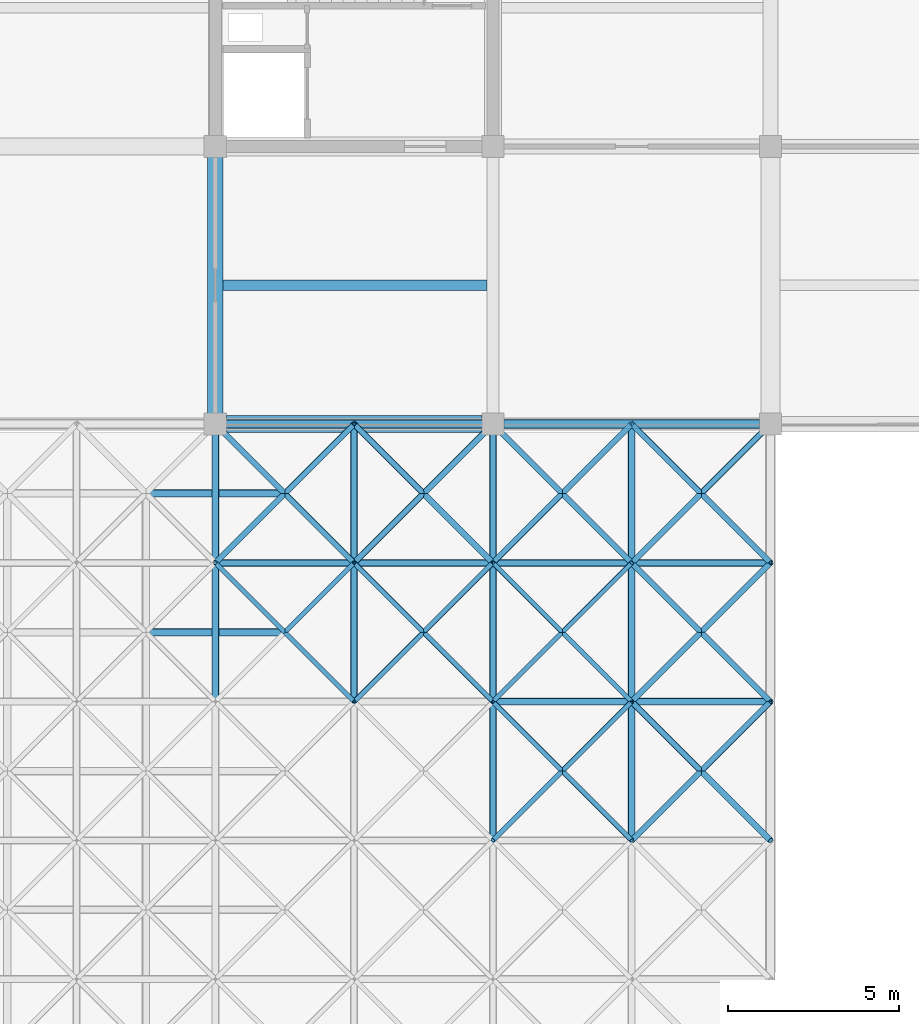
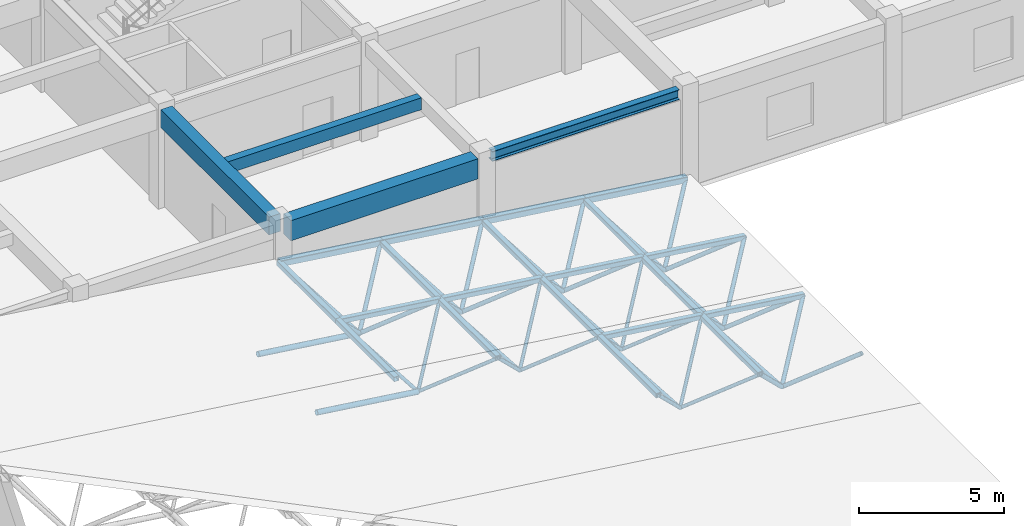
# One storey, part 24 of 70: 61 members, 4 beams.
"""IFC4 building model written with IfcOpenShell, lengths in metres."""

from ifc_helpers import new_model, si_unit, direction, frame, origin, origin_2d, place, context, subcontext, project, spatial, rectangle, hollow_rectangle, hollow_circle, i_section, extrude, material, material_profile, profile_set, type_object, element, save


model = new_model("IFC4")

# Units and contexts
model_context = context("Model", 3, precision=1e-05, world=origin(), true_north=direction((0.0, 1.0)))
body_context = subcontext(model_context, "Body", "Model", "MODEL_VIEW")
ifc_project = project(units=[si_unit("LENGTHUNIT", "METRE"), si_unit("AREAUNIT", "SQUARE_METRE"), si_unit("VOLUMEUNIT", "CUBIC_METRE"), si_unit("PLANEANGLEUNIT", "RADIAN"), si_unit("MASSUNIT", "GRAM", prefix="KILO")], contexts=[model_context])

# Site, building, storey
site_placement = place(None, origin())
site = spatial("IfcSite", under=ifc_project, at=site_placement, CompositionType="ELEMENT")
building_placement = place(site_placement, origin())
building = spatial("IfcBuilding", under=site, at=building_placement, Name="Vaudrelin Polytechnic", CompositionType="ELEMENT")
storey_placement = place(building_placement, frame((0.0, 0.0, 14.110107421875)))
storey = spatial("IfcBuildingStorey", under=building, at=storey_placement, Name="L03", CompositionType="ELEMENT", Elevation=14.110107421875)

# Beams
ifc_material_1 = material(Name="Concrete 40 MPa", Category="concrete")
ifc_material_profile_1 = material_profile(ifc_material_1, rectangle(XDim=0.449951171875, YDim=0.75, at=origin_2d()), Name="RC450x750")
ifc_profile_set_1 = profile_set([ifc_material_profile_1], Name="Concrete 40 MPa")
beam_type_1 = type_object("IfcBeamType", Name="BM-BM-RC4575", PredefinedType="BEAM", material=ifc_profile_set_1)
beam_1_placement = place(storey_placement, frame((16.199951171875, 97.510009765625, 3.784912109375), z_axis=(0.0, 1.0, 0.0), x_axis=(-1.0, 0.0, 0.0)))
element("IfcBeam", 1, at=beam_1_placement, inside=storey, type_object=beam_type_1, Name="L03 Y-beam 3-13", PredefinedType="BEAM", context=body_context, shape_type="SweptSolid", body=[
    extrude(rectangle(XDim=0.449951171875, YDim=0.75, at=origin_2d()), origin(), (0.0, 0.0, 1.0), 7.47998046875),
])
ifc_material_profile_2 = material_profile(ifc_material_1, rectangle(XDim=0.5, YDim=0.85009765625, at=origin_2d()), Name="RC500x850")
ifc_profile_set_2 = profile_set([ifc_material_profile_2], Name="Concrete 40 MPa")
beam_type_2 = type_object("IfcBeamType", Name="BM-BM-RC5085", PredefinedType="BEAM", material=ifc_profile_set_2)
beam_2_placement = place(storey_placement, frame((16.52099609375, 97.199951171875, 3.73486328125), z_axis=(1.0, 0.0, 0.0), x_axis=(0.0, 1.0, 0.0)))
element("IfcBeam", 2, at=beam_2_placement, inside=storey, type_object=beam_type_2, Name="L03 X-beam 3-13", PredefinedType="BEAM", context=body_context, shape_type="SweptSolid", body=[
    extrude(rectangle(XDim=0.5, YDim=0.85009765625, at=origin_2d()), origin(), (0.0, 0.0, 1.0), 7.4580078125),
])
ifc_material_2 = material(Name="Steel CSA G40.21 350WT", Category="steel")
ifc_material_profile_3 = material_profile(ifc_material_2, i_section(OverallWidth=0.260009765625, OverallDepth=0.4150390625, WebThickness=0.010009765625, FlangeThickness=0.016845703125, FilletRadius=0.01611328125, at=origin_2d()), Name="W410x100")
ifc_profile_set_3 = profile_set([ifc_material_profile_3], Name="Steel CSA G40.21 350WT")
beam_type_3 = type_object("IfcBeamType", Name="BM-BM-W410H", PredefinedType="SPANDREL", material=ifc_profile_set_3)
beam_3_placement = place(storey_placement, frame((24.62109375, 97.199951171875, 3.952392578125), z_axis=(1.0, 0.0, 0.0), x_axis=(0.0, 1.0, 0.0)))
element("IfcBeam", 3, at=beam_3_placement, inside=storey, type_object=beam_type_3, Name="L03 X-beam 4-13", PredefinedType="SPANDREL", context=body_context, shape_type="SweptSolid", body=[
    extrude(i_section(OverallWidth=0.260009765625, OverallDepth=0.4150390625, WebThickness=0.010009765625, FlangeThickness=0.016845703125, FilletRadius=0.01611328125, at=origin_2d()), origin(), (0.0, 0.0, 1.0), 7.4580078125),
])
ifc_material_profile_4 = material_profile(ifc_material_1, rectangle(XDim=0.300048828125, YDim=0.5, at=origin_2d()), Name="RC300x500")
ifc_profile_set_4 = profile_set([ifc_material_profile_4], Name="Concrete 40 MPa")
beam_type_4 = type_object("IfcBeamType", Name="BM-JS-RC3050", PredefinedType="JOIST", material=ifc_profile_set_4)
beam_4_placement = place(storey_placement, frame((16.4208984375, 101.25, 3.909912109375), z_axis=(1.0, 0.0, 0.0), x_axis=(0.0, 1.0, 0.0)))
element("IfcBeam", 4, at=beam_4_placement, inside=storey, type_object=beam_type_4, Name="L03 floor joist 3-13", PredefinedType="JOIST", context=body_context, shape_type="SweptSolid", body=[
    extrude(rectangle(XDim=0.300048828125, YDim=0.5, at=origin_2d()), origin(), (0.0, 0.0, 1.0), 7.7080078125),
])

# Members
ifc_material_profile_5 = material_profile(ifc_material_2, hollow_circle(Radius=0.109619140625, WallThickness=0.010986328125, at=origin_2d()), Name="CHS219.1x11.1")
ifc_profile_set_5 = profile_set([ifc_material_profile_5], Name="Steel CSA G40.21 350WT")
member_type_1 = type_object("IfcMemberType", Name="MEM-SF-BC1", PredefinedType="CHORD", material=ifc_profile_set_5)
for number, where, z_axis, x_axis, name in (
    (5, (14.175048828125, 91.125, 0.439208984375), (0.991444732077, 0.0, -0.130527174324), (0.0, 1.0, 0.0), "Space frame bottom chord X 4-13"),
    (6, (14.175048828125, 95.175048828125, 0.439208984375), (0.991444732077, 0.0, -0.130527174324), (0.0, 1.0, 0.0), "Space frame bottom chord X 4-14"),
):
    element("IfcMember", number, at=place(storey_placement, frame(where, z_axis=z_axis, x_axis=x_axis)), inside=storey, type_object=member_type_1, Name=name, PredefinedType="CHORD", context=body_context, shape_type="SweptSolid", body=[
        extrude(hollow_circle(Radius=0.109619140625, WallThickness=0.010986328125, at=origin_2d()), origin(), (0.0, 0.0, 1.0), 4.0849609375),
    ])
ifc_material_profile_6 = material_profile(ifc_material_2, hollow_rectangle(XDim=0.202880859375, YDim=0.202880859375, WallThickness=0.009521484375, InnerFilletRadius=0.009521484375, OuterFilletRadius=0.01904296875, at=origin_2d()), Name="HSS203x203x9.5")
ifc_profile_set_6 = profile_set([ifc_material_profile_6], Name="Steel CSA G40.21 350WT")
member_type_2 = type_object("IfcMemberType", Name="MEM-SF-TC1", PredefinedType="CHORD", material=ifc_profile_set_6)
member_1_placement = place(storey_placement, frame((24.300048828125, 89.10009765625, 1.306396484375), z_axis=(0.991444732077, 0.0, -0.130527174324), x_axis=(0.0, 1.0, 0.0)))
element("IfcMember", 7, at=member_1_placement, inside=storey, type_object=member_type_2, Name="Space frame top chord X 7-13", PredefinedType="CHORD", context=body_context, shape_type="SweptSolid", body=[
    extrude(hollow_rectangle(XDim=0.202880859375, YDim=0.202880859375, WallThickness=0.009521484375, InnerFilletRadius=0.009521484375, OuterFilletRadius=0.01904296875, at=origin_2d()), origin(), (0.0, 0.0, 1.0), 4.0849609375),
])
member_2_placement = place(storey_placement, frame((28.35009765625, 89.10009765625, 0.773193359375), z_axis=(0.991443713746, 0.0, -0.13053490902), x_axis=(0.0, 1.0, 0.0)))
element("IfcMember", 8, at=member_2_placement, inside=storey, type_object=member_type_2, Name="Space frame top chord X 8-13", PredefinedType="CHORD", context=body_context, shape_type="SweptSolid", body=[
    extrude(hollow_rectangle(XDim=0.202880859375, YDim=0.202880859375, WallThickness=0.009521484375, InnerFilletRadius=0.009521484375, OuterFilletRadius=0.01904296875, at=origin_2d()), origin(), (0.0, 0.0, 1.0), 4.084716796875),
])
for number, where, z_axis, x_axis, name in (
    (9, (16.199951171875, 93.14990234375, 2.372802734375), (0.991444732077, 0.0, -0.130527174324), (0.0, 1.0, 0.0), "Space frame top chord X 5-14"),
    (10, (20.25, 93.14990234375, 1.839599609375), (0.991444732077, 0.0, -0.130527174324), (0.0, 1.0, 0.0), "Space frame top chord X 6-14"),
    (11, (24.300048828125, 93.14990234375, 1.306396484375), (0.991444732077, 0.0, -0.130527174324), (0.0, 1.0, 0.0), "Space frame top chord X 7-14"),
):
    element("IfcMember", number, at=place(storey_placement, frame(where, z_axis=z_axis, x_axis=x_axis)), inside=storey, type_object=member_type_2, Name=name, PredefinedType="CHORD", context=body_context, shape_type="SweptSolid", body=[
        extrude(hollow_rectangle(XDim=0.202880859375, YDim=0.202880859375, WallThickness=0.009521484375, InnerFilletRadius=0.009521484375, OuterFilletRadius=0.01904296875, at=origin_2d()), origin(), (0.0, 0.0, 1.0), 4.0849609375),
    ])
member_3_placement = place(storey_placement, frame((28.35009765625, 93.14990234375, 0.773193359375), z_axis=(0.991443713746, 0.0, -0.13053490902), x_axis=(0.0, 1.0, 0.0)))
element("IfcMember", 12, at=member_3_placement, inside=storey, type_object=member_type_2, Name="Space frame top chord X 8-14", PredefinedType="CHORD", context=body_context, shape_type="SweptSolid", body=[
    extrude(hollow_rectangle(XDim=0.202880859375, YDim=0.202880859375, WallThickness=0.009521484375, InnerFilletRadius=0.009521484375, OuterFilletRadius=0.01904296875, at=origin_2d()), origin(), (0.0, 0.0, 1.0), 4.084716796875),
])
member_4_placement = place(storey_placement, frame((16.199951171875, 89.10009765625, 2.372802734375), z_axis=(0.0, 1.0, 0.0), x_axis=(-1.0, 0.0, 0.0)))
element("IfcMember", 13, at=member_4_placement, inside=storey, type_object=member_type_2, Name="Space frame top chord Y 5-13", PredefinedType="CHORD", context=body_context, shape_type="SweptSolid", body=[
    extrude(hollow_rectangle(XDim=0.202880859375, YDim=0.202880859375, WallThickness=0.009521484375, InnerFilletRadius=0.009521484375, OuterFilletRadius=0.01904296875, at=origin_2d()), origin(), (0.0, 0.0, 1.0), 4.0498046875),
])
member_5_placement = place(storey_placement, frame((16.199951171875, 93.14990234375, 2.372802734375), z_axis=(0.0, 1.0, 0.0), x_axis=(-1.0, 0.0, 0.0)))
element("IfcMember", 14, at=member_5_placement, inside=storey, type_object=member_type_2, Name="Space frame top chord Y 5-14", PredefinedType="CHORD", context=body_context, shape_type="SweptSolid", body=[
    extrude(hollow_rectangle(XDim=0.202880859375, YDim=0.202880859375, WallThickness=0.009521484375, InnerFilletRadius=0.009521484375, OuterFilletRadius=0.01904296875, at=origin_2d()), origin(), (0.0, 0.0, 1.0), 4.050048828125),
])
member_6_placement = place(storey_placement, frame((20.25, 89.10009765625, 1.839599609375), z_axis=(0.0, 1.0, 0.0), x_axis=(-1.0, 0.0, 0.0)))
element("IfcMember", 15, at=member_6_placement, inside=storey, type_object=member_type_2, Name="Space frame top chord Y 6-13", PredefinedType="CHORD", context=body_context, shape_type="SweptSolid", body=[
    extrude(hollow_rectangle(XDim=0.202880859375, YDim=0.202880859375, WallThickness=0.009521484375, InnerFilletRadius=0.009521484375, OuterFilletRadius=0.01904296875, at=origin_2d()), origin(), (0.0, 0.0, 1.0), 4.0498046875),
])
for number, where, z_axis, x_axis, name in (
    (16, (20.25, 93.14990234375, 1.839599609375), (0.0, 1.0, 0.0), (-1.0, 0.0, 0.0), "Space frame top chord Y 6-14"),
    (17, (24.300048828125, 85.050048828125, 1.306396484375), (0.0, 1.0, 0.0), (-1.0, 0.0, 0.0), "Space frame top chord Y 7-12"),
):
    element("IfcMember", number, at=place(storey_placement, frame(where, z_axis=z_axis, x_axis=x_axis)), inside=storey, type_object=member_type_2, Name=name, PredefinedType="CHORD", context=body_context, shape_type="SweptSolid", body=[
        extrude(hollow_rectangle(XDim=0.202880859375, YDim=0.202880859375, WallThickness=0.009521484375, InnerFilletRadius=0.009521484375, OuterFilletRadius=0.01904296875, at=origin_2d()), origin(), (0.0, 0.0, 1.0), 4.050048828125),
    ])
member_7_placement = place(storey_placement, frame((24.300048828125, 89.10009765625, 1.306396484375), z_axis=(0.0, 1.0, 0.0), x_axis=(-1.0, 0.0, 0.0)))
element("IfcMember", 18, at=member_7_placement, inside=storey, type_object=member_type_2, Name="Space frame top chord Y 7-13", PredefinedType="CHORD", context=body_context, shape_type="SweptSolid", body=[
    extrude(hollow_rectangle(XDim=0.202880859375, YDim=0.202880859375, WallThickness=0.009521484375, InnerFilletRadius=0.009521484375, OuterFilletRadius=0.01904296875, at=origin_2d()), origin(), (0.0, 0.0, 1.0), 4.0498046875),
])
for number, where, z_axis, x_axis, name in (
    (19, (24.300048828125, 93.14990234375, 1.306396484375), (0.0, 1.0, 0.0), (-1.0, 0.0, 0.0), "Space frame top chord Y 7-14"),
    (20, (28.35009765625, 85.050048828125, 0.773193359375), (0.0, 1.0, 0.0), (-1.0, 0.0, 0.0), "Space frame top chord Y 8-12"),
):
    element("IfcMember", number, at=place(storey_placement, frame(where, z_axis=z_axis, x_axis=x_axis)), inside=storey, type_object=member_type_2, Name=name, PredefinedType="CHORD", context=body_context, shape_type="SweptSolid", body=[
        extrude(hollow_rectangle(XDim=0.202880859375, YDim=0.202880859375, WallThickness=0.009521484375, InnerFilletRadius=0.009521484375, OuterFilletRadius=0.01904296875, at=origin_2d()), origin(), (0.0, 0.0, 1.0), 4.050048828125),
    ])
member_8_placement = place(storey_placement, frame((28.35009765625, 89.10009765625, 0.773193359375), z_axis=(0.0, 1.0, 0.0), x_axis=(-1.0, 0.0, 0.0)))
element("IfcMember", 21, at=member_8_placement, inside=storey, type_object=member_type_2, Name="Space frame top chord Y 8-13", PredefinedType="CHORD", context=body_context, shape_type="SweptSolid", body=[
    extrude(hollow_rectangle(XDim=0.202880859375, YDim=0.202880859375, WallThickness=0.009521484375, InnerFilletRadius=0.009521484375, OuterFilletRadius=0.01904296875, at=origin_2d()), origin(), (0.0, 0.0, 1.0), 4.0498046875),
])
member_9_placement = place(storey_placement, frame((28.35009765625, 93.14990234375, 0.773193359375), z_axis=(0.0, 1.0, 0.0), x_axis=(-1.0, 0.0, 0.0)))
element("IfcMember", 22, at=member_9_placement, inside=storey, type_object=member_type_2, Name="Space frame top chord Y 8-14", PredefinedType="CHORD", context=body_context, shape_type="SweptSolid", body=[
    extrude(hollow_rectangle(XDim=0.202880859375, YDim=0.202880859375, WallThickness=0.009521484375, InnerFilletRadius=0.009521484375, OuterFilletRadius=0.01904296875, at=origin_2d()), origin(), (0.0, 0.0, 1.0), 4.050048828125),
])
ifc_material_profile_7 = material_profile(ifc_material_2, hollow_rectangle(XDim=0.25390625, YDim=0.25390625, WallThickness=0.0126953125, InnerFilletRadius=0.0126953125, OuterFilletRadius=0.025390625, at=origin_2d()), Name="HSS254x254x12.7")
ifc_profile_set_7 = profile_set([ifc_material_profile_7], Name="Steel CSA G40.21 350WT")
member_type_3 = type_object("IfcMemberType", Name="MEM-SF-TC2", PredefinedType="CHORD", material=ifc_profile_set_7)
for number, where, z_axis, x_axis, name in (
    (23, (16.199951171875, 97.199951171875, 2.372802734375), (0.991444732077, 0.0, -0.130527174324), (0.0, 1.0, 0.0), "Space frame top chord X 5-15"),
    (24, (20.25, 97.199951171875, 1.839599609375), (0.991444732077, 0.0, -0.130527174324), (0.0, 1.0, 0.0), "Space frame top chord X 6-15"),
    (25, (24.300048828125, 97.199951171875, 1.306396484375), (0.991444732077, 0.0, -0.130527174324), (0.0, 1.0, 0.0), "Space frame top chord X 7-15"),
):
    element("IfcMember", number, at=place(storey_placement, frame(where, z_axis=z_axis, x_axis=x_axis)), inside=storey, type_object=member_type_3, Name=name, PredefinedType="CHORD", context=body_context, shape_type="SweptSolid", body=[
        extrude(hollow_rectangle(XDim=0.25390625, YDim=0.25390625, WallThickness=0.0126953125, InnerFilletRadius=0.0126953125, OuterFilletRadius=0.025390625, at=origin_2d()), origin(), (0.0, 0.0, 1.0), 4.0849609375),
    ])
member_10_placement = place(storey_placement, frame((28.35009765625, 97.199951171875, 0.773193359375), z_axis=(0.991443713746, 0.0, -0.13053490902), x_axis=(0.0, 1.0, 0.0)))
element("IfcMember", 26, at=member_10_placement, inside=storey, type_object=member_type_3, Name="Space frame top chord X 8-15", PredefinedType="CHORD", context=body_context, shape_type="SweptSolid", body=[
    extrude(hollow_rectangle(XDim=0.25390625, YDim=0.25390625, WallThickness=0.0126953125, InnerFilletRadius=0.0126953125, OuterFilletRadius=0.025390625, at=origin_2d()), origin(), (0.0, 0.0, 1.0), 4.084716796875),
])
ifc_material_profile_8 = material_profile(ifc_material_2, hollow_circle(Radius=0.06982421875, WallThickness=0.008056640625, at=origin_2d()), Name="CHS139.7x8.0")
ifc_profile_set_8 = profile_set([ifc_material_profile_8], Name="Steel CSA G40.21 350WT")
member_type_4 = type_object("IfcMemberType", Name="MEM-SF-WB1", PredefinedType="BRACE", material=ifc_profile_set_8)
for number, where, z_axis, x_axis, name in (
    (27, (18.22509765625, 91.125, -0.093994140625), (0.586024364893, -0.586024364893, 0.559598863028), (0.707106781187, 0.707106781187, 0.0), "Space frame web diagonal 5.13.2"),
    (28, (18.22509765625, 91.125, -0.093994140625), (0.586024364893, 0.586024364893, 0.559598863028), (-0.707106781187, 0.707106781187, 0.0), "Space frame web diagonal 5.13.3"),
):
    element("IfcMember", number, at=place(storey_placement, frame(where, z_axis=z_axis, x_axis=x_axis)), inside=storey, type_object=member_type_4, Name=name, PredefinedType="BRACE", context=body_context, shape_type="SweptSolid", body=[
        extrude(hollow_circle(Radius=0.06982421875, WallThickness=0.008056640625, at=origin_2d()), origin(), (0.0, 0.0, 1.0), 3.455322265625),
    ])
member_11_placement = place(storey_placement, frame((18.22509765625, 91.125, -0.093994140625), z_axis=(-0.535788013686, 0.535723422002, 0.65263436893), x_axis=(-0.707064154862, -0.707149404941, 0.0)))
element("IfcMember", 29, at=member_11_placement, inside=storey, type_object=member_type_4, Name="Space frame web diagonal 5.13.4", PredefinedType="BRACE", context=body_context, shape_type="SweptSolid", body=[
    extrude(hollow_circle(Radius=0.06982421875, WallThickness=0.008056640625, at=origin_2d()), origin(), (0.0, 0.0, 1.0), 3.77978515625),
])
member_12_placement = place(storey_placement, frame((22.27490234375, 91.125, -0.627197265625), z_axis=(-0.535741961868, -0.535741961868, 0.652656954753), x_axis=(0.707106781187, -0.707106781187, 0.0)))
element("IfcMember", 30, at=member_12_placement, inside=storey, type_object=member_type_4, Name="Space frame web diagonal 6.13.1", PredefinedType="BRACE", context=body_context, shape_type="SweptSolid", body=[
    extrude(hollow_circle(Radius=0.06982421875, WallThickness=0.008056640625, at=origin_2d()), origin(), (0.0, 0.0, 1.0), 3.779541015625),
])
for number, where, z_axis, x_axis, name in (
    (31, (22.27490234375, 91.125, -0.627197265625), (0.586070753284, -0.586000099787, 0.559575692105), (0.707064154862, 0.707149404941, 0.0), "Space frame web diagonal 6.13.2"),
    (32, (22.27490234375, 91.125, -0.627197265625), (0.586070753284, 0.586000099787, 0.559575692105), (-0.707064154862, 0.707149404941, 0.0), "Space frame web diagonal 6.13.3"),
):
    element("IfcMember", number, at=place(storey_placement, frame(where, z_axis=z_axis, x_axis=x_axis)), inside=storey, type_object=member_type_4, Name=name, PredefinedType="BRACE", context=body_context, shape_type="SweptSolid", body=[
        extrude(hollow_circle(Radius=0.06982421875, WallThickness=0.008056640625, at=origin_2d()), origin(), (0.0, 0.0, 1.0), 3.45556640625),
    ])
for number, where, z_axis, x_axis, name in (
    (33, (22.27490234375, 91.125, -0.627197265625), (-0.535741961868, 0.535741961868, 0.652656954753), (-0.707106781187, -0.707106781187, 0.0), "Space frame web diagonal 6.13.4"),
    (34, (26.324951171875, 87.074951171875, -1.160400390625), (-0.535741961868, -0.535741961868, 0.652656954753), (0.707106781187, -0.707106781187, 0.0), "Space frame web diagonal 7.12.1"),
):
    element("IfcMember", number, at=place(storey_placement, frame(where, z_axis=z_axis, x_axis=x_axis)), inside=storey, type_object=member_type_4, Name=name, PredefinedType="BRACE", context=body_context, shape_type="SweptSolid", body=[
        extrude(hollow_circle(Radius=0.06982421875, WallThickness=0.008056640625, at=origin_2d()), origin(), (0.0, 0.0, 1.0), 3.779541015625),
    ])
for number, where, z_axis, x_axis, name in (
    (35, (26.324951171875, 87.074951171875, -1.160400390625), (0.586070753284, -0.586000099787, 0.559575692105), (0.707064154862, 0.707149404941, 0.0), "Space frame web diagonal 7.12.2"),
    (36, (26.324951171875, 87.074951171875, -1.160400390625), (0.586046488267, 0.586046488267, 0.559552524059), (-0.707106781187, 0.707106781187, 0.0), "Space frame web diagonal 7.12.3"),
):
    element("IfcMember", number, at=place(storey_placement, frame(where, z_axis=z_axis, x_axis=x_axis)), inside=storey, type_object=member_type_4, Name=name, PredefinedType="BRACE", context=body_context, shape_type="SweptSolid", body=[
        extrude(hollow_circle(Radius=0.06982421875, WallThickness=0.008056640625, at=origin_2d()), origin(), (0.0, 0.0, 1.0), 3.45556640625),
    ])
member_13_placement = place(storey_placement, frame((26.324951171875, 87.074951171875, -1.160400390625), z_axis=(-0.535723422002, 0.535788013686, 0.65263436893), x_axis=(-0.707149404941, -0.707064154862, 0.0)))
element("IfcMember", 37, at=member_13_placement, inside=storey, type_object=member_type_4, Name="Space frame web diagonal 7.12.4", PredefinedType="BRACE", context=body_context, shape_type="SweptSolid", body=[
    extrude(hollow_circle(Radius=0.06982421875, WallThickness=0.008056640625, at=origin_2d()), origin(), (0.0, 0.0, 1.0), 3.77978515625),
])
member_14_placement = place(storey_placement, frame((26.324951171875, 91.125, -1.160400390625), z_axis=(-0.535741961868, -0.535741961868, 0.652656954753), x_axis=(0.707106781187, -0.707106781187, 0.0)))
element("IfcMember", 38, at=member_14_placement, inside=storey, type_object=member_type_4, Name="Space frame web diagonal 7.13.1", PredefinedType="BRACE", context=body_context, shape_type="SweptSolid", body=[
    extrude(hollow_circle(Radius=0.06982421875, WallThickness=0.008056640625, at=origin_2d()), origin(), (0.0, 0.0, 1.0), 3.779541015625),
])
for number, where, z_axis, x_axis, name in (
    (39, (26.324951171875, 91.125, -1.160400390625), (0.586070753284, -0.586000099787, 0.559575692105), (0.707064154862, 0.707149404941, 0.0), "Space frame web diagonal 7.13.2"),
    (40, (26.324951171875, 91.125, -1.160400390625), (0.586070753284, 0.586000099787, 0.559575692105), (-0.707064154862, 0.707149404941, 0.0), "Space frame web diagonal 7.13.3"),
):
    element("IfcMember", number, at=place(storey_placement, frame(where, z_axis=z_axis, x_axis=x_axis)), inside=storey, type_object=member_type_4, Name=name, PredefinedType="BRACE", context=body_context, shape_type="SweptSolid", body=[
        extrude(hollow_circle(Radius=0.06982421875, WallThickness=0.008056640625, at=origin_2d()), origin(), (0.0, 0.0, 1.0), 3.45556640625),
    ])
member_15_placement = place(storey_placement, frame((26.324951171875, 91.125, -1.160400390625), z_axis=(-0.535741961868, 0.535741961868, 0.652656954753), x_axis=(-0.707106781187, -0.707106781187, 0.0)))
element("IfcMember", 41, at=member_15_placement, inside=storey, type_object=member_type_4, Name="Space frame web diagonal 7.13.4", PredefinedType="BRACE", context=body_context, shape_type="SweptSolid", body=[
    extrude(hollow_circle(Radius=0.06982421875, WallThickness=0.008056640625, at=origin_2d()), origin(), (0.0, 0.0, 1.0), 3.779541015625),
])
ifc_material_profile_9 = material_profile(ifc_material_2, hollow_circle(Radius=0.084228515625, WallThickness=0.009521484375, at=origin_2d()), Name="CHS168.3x9.5")
ifc_profile_set_9 = profile_set([ifc_material_profile_9], Name="Steel CSA G40.21 350WT")
member_type_5 = type_object("IfcMemberType", Name="MEM-SF-WB2", PredefinedType="BRACE", material=ifc_profile_set_9)
member_16_placement = place(storey_placement, frame((18.22509765625, 95.175048828125, -0.093994140625), z_axis=(-0.535769473509, -0.535769473509, 0.652611785453), x_axis=(0.707106781187, -0.707106781187, 0.0)))
element("IfcMember", 42, at=member_16_placement, inside=storey, type_object=member_type_5, Name="Space frame web diagonal 5.14.1", PredefinedType="BRACE", context=body_context, shape_type="SweptSolid", body=[
    extrude(hollow_circle(Radius=0.084228515625, WallThickness=0.009521484375, at=origin_2d()), origin(), (0.0, 0.0, 1.0), 3.77978515625),
])
member_17_placement = place(storey_placement, frame((18.22509765625, 95.175048828125, -0.093994140625), z_axis=(0.586000099787, -0.586070753284, 0.559575692105), x_axis=(0.707149404941, 0.707064154862, 0.0)))
element("IfcMember", 43, at=member_17_placement, inside=storey, type_object=member_type_5, Name="Space frame web diagonal 5.14.2", PredefinedType="BRACE", context=body_context, shape_type="SweptSolid", body=[
    extrude(hollow_circle(Radius=0.084228515625, WallThickness=0.009521484375, at=origin_2d()), origin(), (0.0, 0.0, 1.0), 3.45556640625),
])
member_18_placement = place(storey_placement, frame((18.22509765625, 95.175048828125, -0.093994140625), z_axis=(0.586024364893, 0.586024364893, 0.559598863028), x_axis=(-0.707106781187, 0.707106781187, 0.0)))
element("IfcMember", 44, at=member_18_placement, inside=storey, type_object=member_type_5, Name="Space frame web diagonal 5.14.3", PredefinedType="BRACE", context=body_context, shape_type="SweptSolid", body=[
    extrude(hollow_circle(Radius=0.084228515625, WallThickness=0.009521484375, at=origin_2d()), origin(), (0.0, 0.0, 1.0), 3.455322265625),
])
for number, where, z_axis, x_axis, name in (
    (45, (18.22509765625, 95.175048828125, -0.093994140625), (-0.535788013686, 0.535723422002, 0.65263436893), (-0.707064154862, -0.707149404941, 0.0), "Space frame web diagonal 5.14.4"),
    (46, (22.27490234375, 95.175048828125, -0.627197265625), (-0.535723422002, -0.535788013686, 0.65263436893), (0.707149404941, -0.707064154862, 0.0), "Space frame web diagonal 6.14.1"),
):
    element("IfcMember", number, at=place(storey_placement, frame(where, z_axis=z_axis, x_axis=x_axis)), inside=storey, type_object=member_type_5, Name=name, PredefinedType="BRACE", context=body_context, shape_type="SweptSolid", body=[
        extrude(hollow_circle(Radius=0.084228515625, WallThickness=0.009521484375, at=origin_2d()), origin(), (0.0, 0.0, 1.0), 3.77978515625),
    ])
for number, where, z_axis, x_axis, name in (
    (47, (22.27490234375, 95.175048828125, -0.627197265625), (0.586046488267, -0.586046488267, 0.559552524059), (0.707106781187, 0.707106781187, 0.0), "Space frame web diagonal 6.14.2"),
    (48, (22.27490234375, 95.175048828125, -0.627197265625), (0.586070753284, 0.586000099787, 0.559575692105), (-0.707064154862, 0.707149404941, 0.0), "Space frame web diagonal 6.14.3"),
):
    element("IfcMember", number, at=place(storey_placement, frame(where, z_axis=z_axis, x_axis=x_axis)), inside=storey, type_object=member_type_5, Name=name, PredefinedType="BRACE", context=body_context, shape_type="SweptSolid", body=[
        extrude(hollow_circle(Radius=0.084228515625, WallThickness=0.009521484375, at=origin_2d()), origin(), (0.0, 0.0, 1.0), 3.45556640625),
    ])
member_19_placement = place(storey_placement, frame((22.27490234375, 95.175048828125, -0.627197265625), z_axis=(-0.535741961868, 0.535741961868, 0.652656954753), x_axis=(-0.707106781187, -0.707106781187, 0.0)))
element("IfcMember", 49, at=member_19_placement, inside=storey, type_object=member_type_5, Name="Space frame web diagonal 6.14.4", PredefinedType="BRACE", context=body_context, shape_type="SweptSolid", body=[
    extrude(hollow_circle(Radius=0.084228515625, WallThickness=0.009521484375, at=origin_2d()), origin(), (0.0, 0.0, 1.0), 3.779541015625),
])
member_20_placement = place(storey_placement, frame((26.324951171875, 95.175048828125, -1.160400390625), z_axis=(-0.535723422002, -0.535788013686, 0.65263436893), x_axis=(0.707149404941, -0.707064154862, 0.0)))
element("IfcMember", 50, at=member_20_placement, inside=storey, type_object=member_type_5, Name="Space frame web diagonal 7.14.1", PredefinedType="BRACE", context=body_context, shape_type="SweptSolid", body=[
    extrude(hollow_circle(Radius=0.084228515625, WallThickness=0.009521484375, at=origin_2d()), origin(), (0.0, 0.0, 1.0), 3.77978515625),
])
for number, where, z_axis, x_axis, name in (
    (51, (26.324951171875, 95.175048828125, -1.160400390625), (0.586046488267, -0.586046488267, 0.559552524059), (0.707106781187, 0.707106781187, 0.0), "Space frame web diagonal 7.14.2"),
    (52, (26.324951171875, 95.175048828125, -1.160400390625), (0.586070753284, 0.586000099787, 0.559575692105), (-0.707064154862, 0.707149404941, 0.0), "Space frame web diagonal 7.14.3"),
):
    element("IfcMember", number, at=place(storey_placement, frame(where, z_axis=z_axis, x_axis=x_axis)), inside=storey, type_object=member_type_5, Name=name, PredefinedType="BRACE", context=body_context, shape_type="SweptSolid", body=[
        extrude(hollow_circle(Radius=0.084228515625, WallThickness=0.009521484375, at=origin_2d()), origin(), (0.0, 0.0, 1.0), 3.45556640625),
    ])
for number, where, z_axis, x_axis, name in (
    (53, (26.324951171875, 95.175048828125, -1.160400390625), (-0.535741961868, 0.535741961868, 0.652656954753), (-0.707106781187, -0.707106781187, 0.0), "Space frame web diagonal 7.14.4"),
    (54, (30.375, 87.074951171875, -1.693603515625), (-0.535741961868, -0.535741961868, 0.652656954753), (0.707106781187, -0.707106781187, 0.0), "Space frame web diagonal 8.12.1"),
):
    element("IfcMember", number, at=place(storey_placement, frame(where, z_axis=z_axis, x_axis=x_axis)), inside=storey, type_object=member_type_5, Name=name, PredefinedType="BRACE", context=body_context, shape_type="SweptSolid", body=[
        extrude(hollow_circle(Radius=0.084228515625, WallThickness=0.009521484375, at=origin_2d()), origin(), (0.0, 0.0, 1.0), 3.779541015625),
    ])
member_21_placement = place(storey_placement, frame((30.375, 87.074951171875, -1.693603515625), z_axis=(0.586024364893, -0.586024364893, 0.559598863028), x_axis=(0.707106781187, 0.707106781187, 0.0)))
element("IfcMember", 55, at=member_21_placement, inside=storey, type_object=member_type_5, Name="Space frame web diagonal 8.12.2", PredefinedType="BRACE", context=body_context, shape_type="SweptSolid", body=[
    extrude(hollow_circle(Radius=0.084228515625, WallThickness=0.009521484375, at=origin_2d()), origin(), (0.0, 0.0, 1.0), 3.455322265625),
])
member_22_placement = place(storey_placement, frame((30.375, 87.074951171875, -1.693603515625), z_axis=(0.586000099787, 0.586070753284, 0.559575692105), x_axis=(-0.707149404941, 0.707064154862, 0.0)))
element("IfcMember", 56, at=member_22_placement, inside=storey, type_object=member_type_5, Name="Space frame web diagonal 8.12.3", PredefinedType="BRACE", context=body_context, shape_type="SweptSolid", body=[
    extrude(hollow_circle(Radius=0.084228515625, WallThickness=0.009521484375, at=origin_2d()), origin(), (0.0, 0.0, 1.0), 3.45556640625),
])
member_23_placement = place(storey_placement, frame((30.375, 87.074951171875, -1.693603515625), z_axis=(-0.535723422002, 0.535788013686, 0.65263436893), x_axis=(-0.707149404941, -0.707064154862, 0.0)))
element("IfcMember", 57, at=member_23_placement, inside=storey, type_object=member_type_5, Name="Space frame web diagonal 8.12.4", PredefinedType="BRACE", context=body_context, shape_type="SweptSolid", body=[
    extrude(hollow_circle(Radius=0.084228515625, WallThickness=0.009521484375, at=origin_2d()), origin(), (0.0, 0.0, 1.0), 3.77978515625),
])
member_24_placement = place(storey_placement, frame((30.375, 91.125, -1.693603515625), z_axis=(-0.535741961868, -0.535741961868, 0.652656954753), x_axis=(0.707106781187, -0.707106781187, 0.0)))
element("IfcMember", 58, at=member_24_placement, inside=storey, type_object=member_type_5, Name="Space frame web diagonal 8.13.1", PredefinedType="BRACE", context=body_context, shape_type="SweptSolid", body=[
    extrude(hollow_circle(Radius=0.084228515625, WallThickness=0.009521484375, at=origin_2d()), origin(), (0.0, 0.0, 1.0), 3.779541015625),
])
for number, where, z_axis, x_axis, name in (
    (59, (30.375, 91.125, -1.693603515625), (0.586024364893, -0.586024364893, 0.559598863028), (0.707106781187, 0.707106781187, 0.0), "Space frame web diagonal 8.13.2"),
    (60, (30.375, 91.125, -1.693603515625), (0.586024364893, 0.586024364893, 0.559598863028), (-0.707106781187, 0.707106781187, 0.0), "Space frame web diagonal 8.13.3"),
):
    element("IfcMember", number, at=place(storey_placement, frame(where, z_axis=z_axis, x_axis=x_axis)), inside=storey, type_object=member_type_5, Name=name, PredefinedType="BRACE", context=body_context, shape_type="SweptSolid", body=[
        extrude(hollow_circle(Radius=0.084228515625, WallThickness=0.009521484375, at=origin_2d()), origin(), (0.0, 0.0, 1.0), 3.455322265625),
    ])
member_25_placement = place(storey_placement, frame((30.375, 91.125, -1.693603515625), z_axis=(-0.535741961868, 0.535741961868, 0.652656954753), x_axis=(-0.707106781187, -0.707106781187, 0.0)))
element("IfcMember", 61, at=member_25_placement, inside=storey, type_object=member_type_5, Name="Space frame web diagonal 8.13.4", PredefinedType="BRACE", context=body_context, shape_type="SweptSolid", body=[
    extrude(hollow_circle(Radius=0.084228515625, WallThickness=0.009521484375, at=origin_2d()), origin(), (0.0, 0.0, 1.0), 3.779541015625),
])
member_26_placement = place(storey_placement, frame((30.375, 95.175048828125, -1.693603515625), z_axis=(-0.535723422002, -0.535788013686, 0.65263436893), x_axis=(0.707149404941, -0.707064154862, 0.0)))
element("IfcMember", 62, at=member_26_placement, inside=storey, type_object=member_type_5, Name="Space frame web diagonal 8.14.1", PredefinedType="BRACE", context=body_context, shape_type="SweptSolid", body=[
    extrude(hollow_circle(Radius=0.084228515625, WallThickness=0.009521484375, at=origin_2d()), origin(), (0.0, 0.0, 1.0), 3.77978515625),
])
member_27_placement = place(storey_placement, frame((30.375, 95.175048828125, -1.693603515625), z_axis=(0.586000099787, -0.586070753284, 0.559575692105), x_axis=(0.707149404941, 0.707064154862, 0.0)))
element("IfcMember", 63, at=member_27_placement, inside=storey, type_object=member_type_5, Name="Space frame web diagonal 8.14.2", PredefinedType="BRACE", context=body_context, shape_type="SweptSolid", body=[
    extrude(hollow_circle(Radius=0.084228515625, WallThickness=0.009521484375, at=origin_2d()), origin(), (0.0, 0.0, 1.0), 3.45556640625),
])
member_28_placement = place(storey_placement, frame((30.375, 95.175048828125, -1.693603515625), z_axis=(0.586024364893, 0.586024364893, 0.559598863028), x_axis=(-0.707106781187, 0.707106781187, 0.0)))
element("IfcMember", 64, at=member_28_placement, inside=storey, type_object=member_type_5, Name="Space frame web diagonal 8.14.3", PredefinedType="BRACE", context=body_context, shape_type="SweptSolid", body=[
    extrude(hollow_circle(Radius=0.084228515625, WallThickness=0.009521484375, at=origin_2d()), origin(), (0.0, 0.0, 1.0), 3.455322265625),
])
member_29_placement = place(storey_placement, frame((30.375, 95.175048828125, -1.693603515625), z_axis=(-0.535741961868, 0.535741961868, 0.652656954753), x_axis=(-0.707106781187, -0.707106781187, 0.0)))
element("IfcMember", 65, at=member_29_placement, inside=storey, type_object=member_type_5, Name="Space frame web diagonal 8.14.4", PredefinedType="BRACE", context=body_context, shape_type="SweptSolid", body=[
    extrude(hollow_circle(Radius=0.084228515625, WallThickness=0.009521484375, at=origin_2d()), origin(), (0.0, 0.0, 1.0), 3.779541015625),
])

save(model, "model.ifc")
